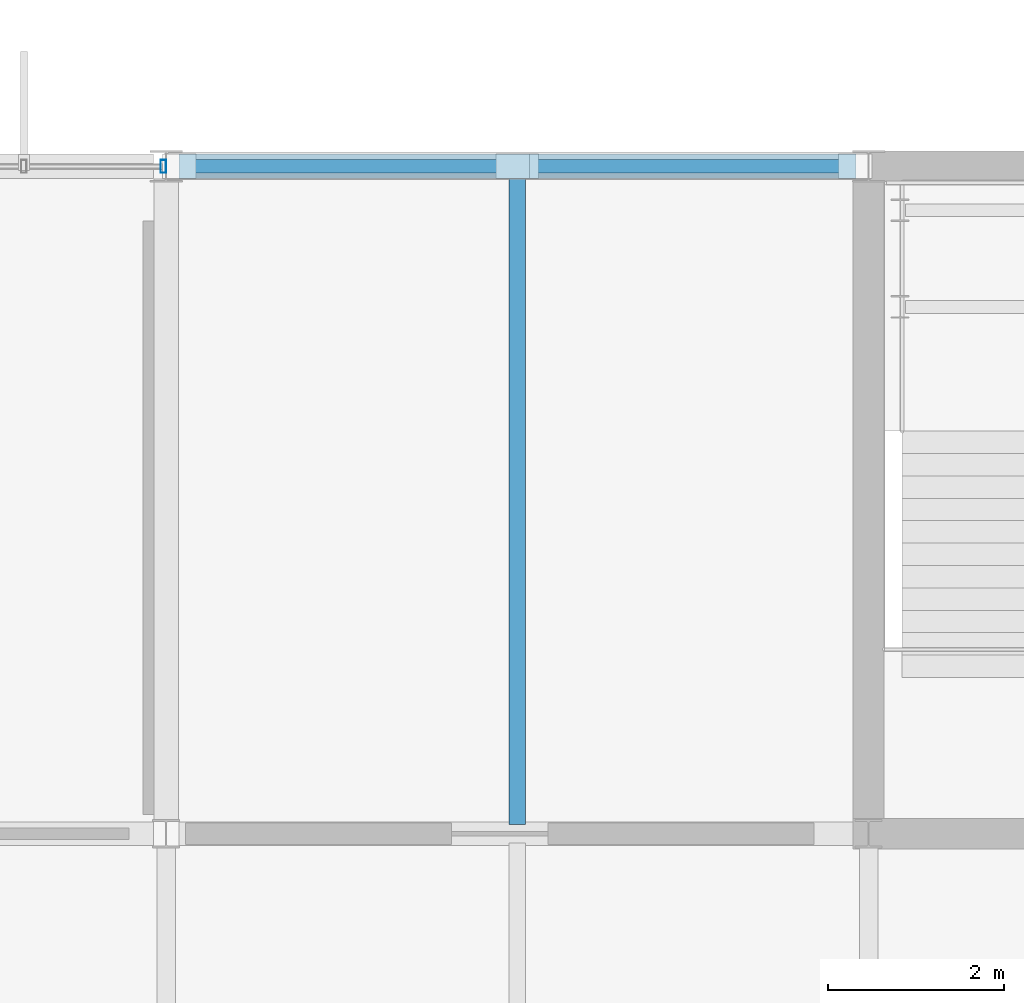
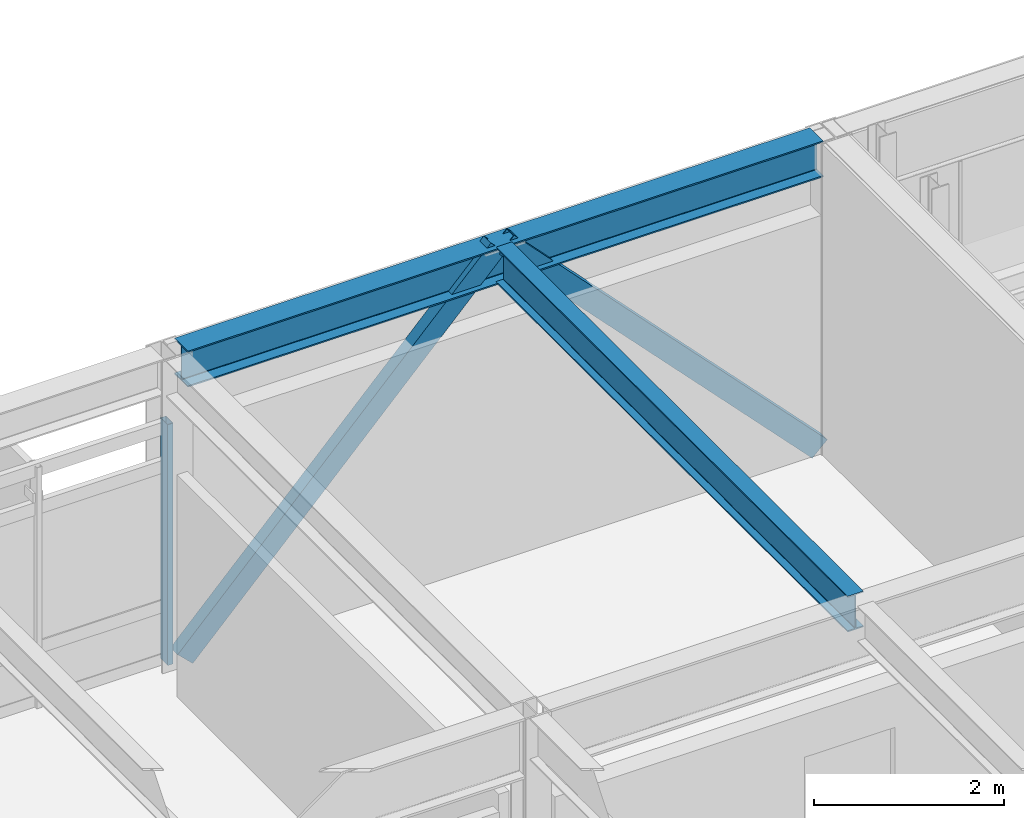
# One storey, part 15 of 33: 3 members, 2 beams, 1 element without a shape of its own.
"""IFC4 building model written with IfcOpenShell, lengths in metres."""

from ifc_helpers import new_model, si_unit, direction, frame, origin, origin_2d, place, context, subcontext, project, spatial, hollow_rectangle, i_section, extrude, material, material_profile, profile_set, type_object, element, aggregate, save


model = new_model("IFC4")

# Units and contexts
model_context = context("Model", 3, precision=1e-05, world=origin(), true_north=direction((0.0, 1.0)))
body_context = subcontext(model_context, "Body", "Model", "MODEL_VIEW")
ifc_project = project(units=[si_unit("LENGTHUNIT", "METRE"), si_unit("AREAUNIT", "SQUARE_METRE"), si_unit("VOLUMEUNIT", "CUBIC_METRE"), si_unit("PLANEANGLEUNIT", "RADIAN"), si_unit("MASSUNIT", "GRAM", prefix="KILO")], contexts=[model_context])

# Site, building, storey
site_placement = place(None, origin())
site = spatial("IfcSite", under=ifc_project, at=site_placement, CompositionType="ELEMENT")
building_placement = place(site_placement, origin())
building = spatial("IfcBuilding", under=site, at=building_placement, Name="Zulena Civic Courthouse", CompositionType="ELEMENT")
storey_placement = place(building_placement, frame((0.0, 0.0, 33.60009765625)))
storey = spatial("IfcBuildingStorey", under=building, at=storey_placement, Name="L07", CompositionType="ELEMENT", Elevation=33.60009765625)

# Members
ifc_material_1 = material(Name="Steel ASTM A500 Grade C", Category="steel")
ifc_material_profile_1 = material_profile(ifc_material_1, hollow_rectangle(XDim=0.152099609375, YDim=0.25390625, WallThickness=0.0087890625, at=origin_2d()), Name="HSS10X6X3/8")
ifc_profile_set_1 = profile_set([ifc_material_profile_1], Name="Steel ASTM A500 Grade C")
member_type_1 = type_object("IfcMemberType", Name="Brace_HSS10X6", PredefinedType="BRACE", material=ifc_profile_set_1)
for number, where, z_axis, x_axis, name in (
    (1, (36.14990234375, 22.800048828125, 0.010009765625), (0.693300076266, 0.0, 0.720649015992), (0.0, 1.0, 0.0), "brace:V2:L07:1:0"),
    (2, (43.85009765625, 22.800048828125, 0.010009765625), (-0.693300076266, 0.0, 0.720649015992), (0.0, -1.0, 0.0), "brace:V2:L07:1:1"),
):
    element("IfcMember", number, at=place(storey_placement, frame(where, z_axis=z_axis, x_axis=x_axis)), inside=storey, type_object=member_type_1, Name=name, PredefinedType="BRACE", context=body_context, shape_type="SweptSolid", body=[
        extrude(hollow_rectangle(XDim=0.152099609375, YDim=0.25390625, WallThickness=0.0087890625, at=origin_2d()), origin(), (0.0, 0.0, 1.0), 5.481201171875),
    ])

# Curtain wall, member
ifc_material_2 = material(Name="Double-silver low-E laminated solar-control glass", Category="glass")
curtain_wall_type = type_object("IfcCurtainWallType", Name="CW_7940x3090", PredefinedType="USERDEFINED", material=ifc_material_2)
curtain_wall_placement = place(storey_placement, origin())
curtain_wall = element("IfcCurtainWall", 3, at=curtain_wall_placement, inside=storey, type_object=curtain_wall_type, Name="cw:V2:L07:1:2", ObjectType="UNITISED CURTAIN WALL", PredefinedType="USERDEFINED")
ifc_material_3 = material(Name="Bronze anodised thermally broken aluminium AA6063-T6", Category="aluminium")
ifc_material_profile_2 = material_profile(ifc_material_3, hollow_rectangle(XDim=0.06494140625, YDim=0.14990234375, WallThickness=0.00390625, at=origin_2d()), Name="CWM150X65X4")
ifc_profile_set_2 = profile_set([ifc_material_profile_2], Name="Bronze anodised thermally broken aluminium AA6063-T6")
member_type_2 = type_object("IfcMemberType", Name="CWMullion_150x65", PredefinedType="MULLION", material=ifc_profile_set_2)
member_placement = place(storey_placement, frame((35.969970703125, 22.800048828125, 0.0), z_axis=(0.0, 0.0, 1.0), x_axis=(1.0, 0.0, 0.0)))
member = element("IfcMember", 4, at=member_placement, type_object=member_type_2, Name="cw:V2:L07:1:2:mull:5", PredefinedType="MULLION", context=body_context, shape_type="SweptSolid", body=[
    extrude(hollow_rectangle(XDim=0.06494140625, YDim=0.14990234375, WallThickness=0.00390625, at=origin_2d()), origin(), (0.0, 0.0, 1.0), 3.08984375),
])
aggregate(curtain_wall, [member])

# Beams
ifc_material_4 = material(Name="Steel ASTM A992 Grade 50", Category="steel")
ifc_material_profile_3 = material_profile(ifc_material_4, i_section(OverallWidth=0.19091796875, OverallDepth=0.4599609375, WebThickness=0.010009765625, FlangeThickness=0.01611328125, FilletRadius=0.01025390625, at=origin_2d()), Name="W18X55")
ifc_profile_set_3 = profile_set([ifc_material_profile_3], Name="Steel ASTM A992 Grade 50")
beam_type_1 = type_object("IfcBeamType", Name="Joist_W18X55", PredefinedType="JOIST", material=ifc_profile_set_3)
beam_1_placement = place(storey_placement, frame((40.0, 15.304931640625, 3.77001953125), z_axis=(0.0, 1.0, 0.0), x_axis=(-1.0, 0.0, 0.0)))
element("IfcBeam", 5, at=beam_1_placement, inside=storey, type_object=beam_type_1, Name="joist:V2:L07:40.00:15.2_22.8", PredefinedType="JOIST", context=body_context, shape_type="SweptSolid", body=[
    extrude(i_section(OverallWidth=0.19091796875, OverallDepth=0.4599609375, WebThickness=0.010009765625, FlangeThickness=0.01611328125, FilletRadius=0.01025390625, at=origin_2d()), origin(), (0.0, 0.0, 1.0), 7.39013671875),
])
ifc_material_profile_4 = material_profile(ifc_material_4, i_section(OverallWidth=0.280029296875, OverallDepth=0.462890625, WebThickness=0.0107421875, FlangeThickness=0.017333984375, FilletRadius=0.01025390625, at=origin_2d()), Name="W18X76")
ifc_profile_set_4 = profile_set([ifc_material_profile_4], Name="Steel ASTM A992 Grade 50")
beam_type_2 = type_object("IfcBeamType", Name="Spandrel_W18X76", PredefinedType="SPANDREL", material=ifc_profile_set_4)
beam_2_placement = place(storey_placement, frame((36.14501953125, 22.800048828125, 3.768310546875), z_axis=(1.0, 0.0, 0.0), x_axis=(0.0, 1.0, 0.0)))
element("IfcBeam", 6, at=beam_2_placement, inside=storey, type_object=beam_type_2, Name="beam:X:V2:L07:22.8:36.0_44.0", PredefinedType="SPANDREL", context=body_context, shape_type="SweptSolid", body=[
    extrude(i_section(OverallWidth=0.280029296875, OverallDepth=0.462890625, WebThickness=0.0107421875, FlangeThickness=0.017333984375, FilletRadius=0.01025390625, at=origin_2d()), origin(), (0.0, 0.0, 1.0), 7.7099609375),
])

save(model, "model.ifc")
